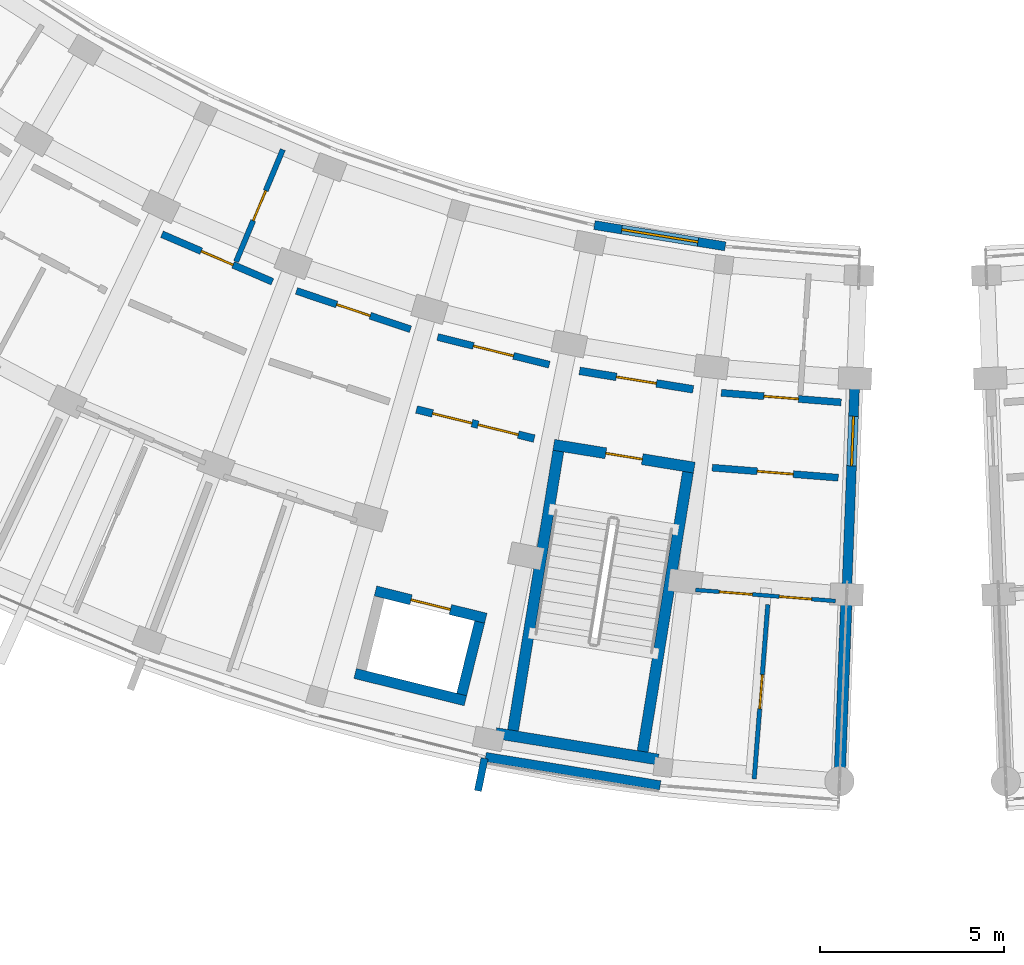
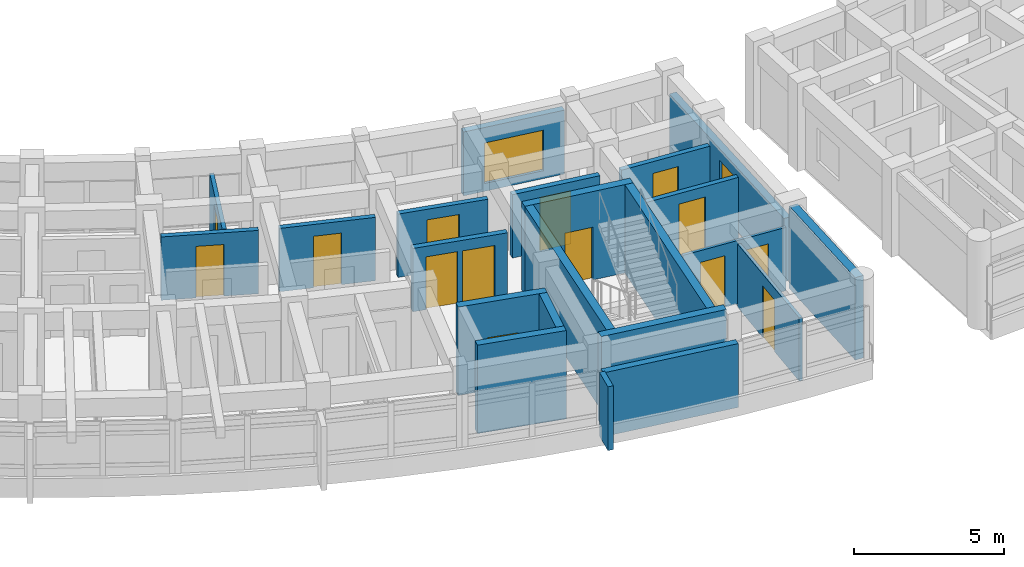
# One storey, part 57 of 83: 22 walls, 14 doors, 2 windows, 16 openings.
"""IFC4 building model written with IfcOpenShell, lengths in metres."""

from ifc_helpers import new_model, si_unit, direction, frame, frame_2d, origin, place, context, subcontext, project, spatial, rectangle, extrude, material, layer, layer_set, type_object, element, fill, save


model = new_model("IFC4")

# Units and contexts
model_context = context("Model", 3, precision=1e-05, world=origin(), true_north=direction((0.0, 1.0)))
body_context = subcontext(model_context, "Body", "Model", "MODEL_VIEW")
ifc_project = project(units=[si_unit("LENGTHUNIT", "METRE"), si_unit("AREAUNIT", "SQUARE_METRE"), si_unit("VOLUMEUNIT", "CUBIC_METRE"), si_unit("PLANEANGLEUNIT", "RADIAN"), si_unit("MASSUNIT", "GRAM", prefix="KILO")], contexts=[model_context])

# Site, building, storey
site_placement = place(None, origin())
site = spatial("IfcSite", under=ifc_project, at=site_placement, CompositionType="ELEMENT")
building_placement = place(site_placement, origin())
building = spatial("IfcBuilding", under=site, at=building_placement, Name="Zimvara Arc Housing Community", CompositionType="ELEMENT")
storey_placement = place(building_placement, frame((0.0, 0.0, 4.5)))
storey = spatial("IfcBuildingStorey", under=building, at=storey_placement, Name="L01", CompositionType="ELEMENT", Elevation=4.5)

# Wall
ifc_material_1 = material(Name="Board-Marked Fair-Faced Concrete C35/45", Category="concrete")
ifc_layer_1 = layer(ifc_material_1, 0.2548828125)
ifc_layer_set_1 = layer_set([ifc_layer_1], Name="Board-Marked Fair-Faced Concrete C35/45")
wall_type_1 = type_object("IfcWallType", Name="EWL-CONC-255", PredefinedType="SOLIDWALL", material=ifc_layer_set_1)
wall_1_placement = place(storey_placement, frame((114.100341796875, 51.681396484375, 0.0), z_axis=(0.0, 0.0, 1.0), x_axis=(0.987080750493, -0.160223568819, 0.0)))
element("IfcWall", 1, at=wall_1_placement, inside=storey, type_object=wall_type_1, Name="ewall:blkC:L01:out:b8", PredefinedType="SOLIDWALL", context=body_context, shape_type="SweptSolid", body=[
    extrude(rectangle(XDim=4.808837890625, YDim=0.2548828125, at=frame_2d((2.404296875, 0.0))), origin(), (0.0, 0.0, 1.0), 2.60009765625),
])

# Wall, opening, window
ifc_material_2 = material(Name="Board-Marked Fair-Faced Concrete C35/45", Category="concrete")
ifc_layer_2 = layer(ifc_material_2, 0.264892578125)
ifc_layer_set_2 = layer_set([ifc_layer_2], Name="Board-Marked Fair-Faced Concrete C35/45")
wall_type_2 = type_object("IfcWallType", Name="EWL-CONC-265", PredefinedType="SOLIDWALL", material=ifc_layer_set_2)
wall_2_placement = place(storey_placement, frame((124.23876953125, 64.533447265625, 0.0), z_axis=(0.0, 0.0, 1.0), x_axis=(-0.038407966241, -0.999262141847, 0.0)))
wall_2 = element("IfcWall", 2, at=wall_2_placement, inside=storey, type_object=wall_type_2, Name="ewall:blkC:L01:gN", PredefinedType="SOLIDWALL", context=body_context, shape_type="SweptSolid", body=[
    extrude(rectangle(XDim=8.199951171875, YDim=0.264892578125, at=frame_2d((4.10009765625, 0.0))), origin(), (0.0, 0.0, 1.0), 2.580078125),
])
opening_1_placement = place(wall_2_placement, frame((3.590087890625, 0.0, 0.75)))
opening_1 = element("IfcOpeningElement", 3, at=opening_1_placement, cuts=wall_2, Name="Opening W12", PredefinedType="OPENING", context=body_context, shape_type="SweptSolid", body=[
    extrude(rectangle(XDim=1.35009765625, YDim=1.35009765625, at=frame_2d((0.675048828125, 0.675048828125))), frame((0.0, 0.142333984375, 0.0), z_axis=(0.0, -1.0, 0.0), x_axis=(1.0, 0.0, 0.0)), (0.0, 0.0, 1.0), 0.284912109375),
])
ifc_material_3 = material(Name="Solar Control Low-E Double Glazing", Category="glass")
window_type_1 = type_object("IfcWindowType", Name="WIN-RES-1350x1350", PartitioningType="DOUBLE_PANEL_VERTICAL", PredefinedType="WINDOW", material=ifc_material_3)
window_1_placement = place(opening_1_placement, origin())
window_1 = element("IfcWindow", 4, at=window_1_placement, inside=storey, type_object=window_type_1, Name="win:blkC:L01:gN:w", OverallHeight=1.35009765625, OverallWidth=1.35009765625, PartitioningType="DOUBLE_PANEL_VERTICAL", PredefinedType="WINDOW", context=body_context, shape_type="SweptSolid", body=[
    extrude(rectangle(XDim=1.35009765625, YDim=1.35009765625, at=frame_2d((0.675048828125, 0.675048828125))), frame((0.0, 0.030029296875, 0.0), z_axis=(0.0, -1.0, 0.0), x_axis=(1.0, 0.0, 0.0)), (0.0, 0.0, 1.0), 0.06005859375),
])
fill(opening_1, window_1)

# Wall
ifc_material_4 = material(Name="Board-Marked Fair-Faced Concrete C35/45", Category="concrete")
ifc_layer_3 = layer(ifc_material_4, 0.195068359375)
ifc_layer_set_3 = layer_set([ifc_layer_3], Name="Board-Marked Fair-Faced Concrete C35/45")
wall_type_3 = type_object("IfcWallType", Name="EWL-PARA-195", PredefinedType="PARAPET", material=ifc_layer_set_3)
wall_3_placement = place(storey_placement, frame((114.072509765625, 51.645263671875, 0.0), z_axis=(0.0, 0.0, 1.0), x_axis=(-0.200236425943, -0.979747607155, 0.0)))
element("IfcWall", 5, at=wall_3_placement, inside=storey, type_object=wall_type_3, Name="finwall:blkC:L01:out:b8", PredefinedType="PARAPET", context=body_context, shape_type="SweptSolid", body=[
    extrude(rectangle(XDim=0.89990234375, YDim=0.195068359375, at=frame_2d((0.449951171875, 0.0))), origin(), (0.0, 0.0, 1.0), 2.60009765625),
])

# Wall, opening, window
ifc_material_5 = material(Name="Pigmented Fair-Faced Concrete C35/45", Category="concrete")
ifc_layer_4 = layer(ifc_material_5, 0.2451171875)
ifc_layer_set_4 = layer_set([ifc_layer_4], Name="Pigmented Fair-Faced Concrete C35/45")
wall_type_4 = type_object("IfcWallType", Name="EWL-PIGM-245", PredefinedType="SOLIDWALL", material=ifc_layer_set_4)
wall_4_placement = place(storey_placement, frame((117.05810546875, 66.141845703125, 0.0), z_axis=(0.0, 0.0, 1.0), x_axis=(0.987080874485, -0.160222804952, 0.0)))
wall_4 = element("IfcWall", 6, at=wall_4_placement, inside=storey, type_object=wall_type_4, Name="ewall:blkC:L01:in:b8", PredefinedType="SOLIDWALL", context=body_context, shape_type="SweptSolid", body=[
    extrude(rectangle(XDim=3.603759765625, YDim=0.2451171875, at=frame_2d((1.8017578125, 0.0))), origin(), (0.0, 0.0, 1.0), 2.60009765625),
])
opening_2_placement = place(wall_4_placement, frame((0.751708984375, 0.0, 0.320068359375)))
opening_2 = element("IfcOpeningElement", 7, at=opening_2_placement, cuts=wall_4, Name="Opening W09", PredefinedType="OPENING", context=body_context, shape_type="SweptSolid", body=[
    extrude(rectangle(XDim=2.10009765625, YDim=1.64990234375, at=frame_2d((1.050048828125, 0.824951171875))), frame((0.0, 0.132568359375, 0.0), z_axis=(0.0, -1.0, 0.0), x_axis=(1.0, 0.0, 0.0)), (0.0, 0.0, 1.0), 0.26513671875),
])
ifc_material_6 = material(Name="Solar Control Low-E Double Glazing", Category="glass")
window_type_2 = type_object("IfcWindowType", Name="WIN-RES-2100x1650", PartitioningType="TRIPLE_PANEL_VERTICAL", PredefinedType="WINDOW", material=ifc_material_6)
window_2_placement = place(opening_2_placement, origin())
window_2 = element("IfcWindow", 8, at=window_2_placement, inside=storey, type_object=window_type_2, Name="win:blkC:L01:in:b8", OverallHeight=1.64990234375, OverallWidth=2.10009765625, PartitioningType="TRIPLE_PANEL_VERTICAL", PredefinedType="WINDOW", context=body_context, shape_type="SweptSolid", body=[
    extrude(rectangle(XDim=2.10009765625, YDim=1.64990234375, at=frame_2d((1.050048828125, 0.824951171875))), frame((0.0, 0.030029296875, 0.0), z_axis=(0.0, -1.0, 0.0), x_axis=(1.0, 0.0, 0.0)), (0.0, 0.0, 1.0), 0.06005859375),
])
fill(opening_2, window_2)

# Wall, openings, doors
ifc_material_7 = material(Name="Concrete C35/45", Category="concrete")
ifc_layer_5 = layer(ifc_material_7, 0.2099609375)
ifc_layer_set_5 = layer_set([ifc_layer_5], Name="Concrete C35/45")
wall_type_5 = type_object("IfcWallType", Name="IWL-CCF-210", PredefinedType="SOLIDWALL", material=ifc_layer_set_5)
wall_5_placement = place(storey_placement, frame((112.222900390625, 61.130126953125, 0.0), z_axis=(0.0, 0.0, 1.0), x_axis=(0.970719238682, -0.240216901263, 0.0)))
wall_5 = element("IfcWall", 9, at=wall_5_placement, inside=storey, type_object=wall_type_5, Name="iwall:blkC:L01:ll_div:b7", PredefinedType="SOLIDWALL", context=body_context, shape_type="SweptSolid", body=[
    extrude(rectangle(XDim=3.2958984375, YDim=0.2099609375, at=frame_2d((1.64794921875, 0.0))), origin(), (0.0, 0.0, 1.0), 2.580078125),
])
opening_3_placement = place(wall_5_placement, frame((0.449951171875, 0.0, 0.0)))
opening_3 = element("IfcOpeningElement", 10, at=opening_3_placement, cuts=wall_5, Name="Opening FD-CCF1", PredefinedType="OPENING", context=body_context, shape_type="SweptSolid", body=[
    extrude(rectangle(XDim=1.10009765625, YDim=2.14990234375, at=frame_2d((0.550048828125, 1.074951171875))), frame((0.0, 0.114990234375, 0.0), z_axis=(0.0, -1.0, 0.0), x_axis=(1.0, 0.0, 0.0)), (0.0, 0.0, 1.0), 0.22998046875),
])
opening_4_placement = place(wall_5_placement, frame((1.72607421875, 0.0, 0.0)))
opening_4 = element("IfcOpeningElement", 11, at=opening_4_placement, cuts=wall_5, Name="Opening D07", PredefinedType="OPENING", context=body_context, shape_type="SweptSolid", body=[
    extrude(rectangle(XDim=1.1201171875, YDim=2.14990234375, at=frame_2d((0.56005859375, 1.074951171875))), frame((0.0, 0.114990234375, 0.0), z_axis=(0.0, -1.0, 0.0), x_axis=(1.0, 0.0, 0.0)), (0.0, 0.0, 1.0), 0.22998046875),
])
ifc_material_8 = material(Name="Mozambican Hardwood", Category="wood")
door_type_1 = type_object("IfcDoorType", Name="IDR-AMN-1120x2150", OperationType="NOTDEFINED", PredefinedType="DOOR", material=ifc_material_8)
door_1_placement = place(opening_4_placement, origin())
door_1 = element("IfcDoor", 12, at=door_1_placement, inside=storey, type_object=door_type_1, Name="idoor:blkC:L01:rs_in:b7", OperationType="SINGLE_SWING_RIGHT", OverallHeight=2.14990234375, OverallWidth=1.1201171875, PredefinedType="DOOR", context=body_context, shape_type="SweptSolid", body=[
    extrude(rectangle(XDim=1.1201171875, YDim=2.14990234375, at=frame_2d((0.56005859375, 1.074951171875))), frame((0.0, 0.02490234375, 0.0), z_axis=(0.0, -1.0, 0.0), x_axis=(1.0, 0.0, 0.0)), (0.0, 0.0, 1.0), 0.050048828125),
])
fill(opening_4, door_1)
ifc_material_9 = material(Name="Anodised Aluminium AW-6063", Category="aluminium")
door_type_2 = type_object("IfcDoorType", Name="IDR-CCF-1100x2150", OperationType="NOTDEFINED", PredefinedType="DOOR", material=ifc_material_9)
door_2_placement = place(opening_3_placement, origin())
door_2 = element("IfcDoor", 13, at=door_2_placement, inside=storey, type_object=door_type_2, Name="idoor:blkC:L01:ll_in:b7", OperationType="SINGLE_SWING_LEFT", OverallHeight=2.14990234375, OverallWidth=1.10009765625, PredefinedType="DOOR", context=body_context, shape_type="SweptSolid", body=[
    extrude(rectangle(XDim=1.10009765625, YDim=2.14990234375, at=frame_2d((0.550048828125, 1.074951171875))), frame((0.0, 0.02490234375, 0.0), z_axis=(0.0, -1.0, 0.0), x_axis=(1.0, 0.0, 0.0)), (0.0, 0.0, 1.0), 0.050048828125),
])
fill(opening_3, door_2)

# Wall, opening, door
wall_6_placement = place(storey_placement, frame((116.655517578125, 62.178466796875, 0.0), z_axis=(0.0, 0.0, 1.0), x_axis=(0.987083140276, -0.16020884552, 0.0)))
wall_6 = element("IfcWall", 14, at=wall_6_placement, inside=storey, type_object=wall_type_5, Name="iwall:blkC:L01:ccf_div:b8", PredefinedType="SOLIDWALL", context=body_context, shape_type="SweptSolid", body=[
    extrude(rectangle(XDim=3.128662109375, YDim=0.2099609375, at=frame_2d((1.564453125, 0.0))), origin(), (0.0, 0.0, 1.0), 2.580078125),
])
opening_5_placement = place(wall_6_placement, frame((1.014404296875, 0.0, 0.0)))
opening_5 = element("IfcOpeningElement", 15, at=opening_5_placement, cuts=wall_6, Name="Opening FD-CCF1", PredefinedType="OPENING", context=body_context, shape_type="SweptSolid", body=[
    extrude(rectangle(XDim=1.10009765625, YDim=2.14990234375, at=frame_2d((0.550048828125, 1.074951171875))), frame((0.0, 0.114990234375, 0.0), z_axis=(0.0, -1.0, 0.0), x_axis=(1.0, 0.0, 0.0)), (0.0, 0.0, 1.0), 0.22998046875),
])
door_3_placement = place(opening_5_placement, origin())
door_3 = element("IfcDoor", 16, at=door_3_placement, inside=storey, type_object=door_type_2, Name="idoor:blkC:L01:ccf_in:b8", OperationType="SINGLE_SWING_RIGHT", OverallHeight=2.14990234375, OverallWidth=1.10009765625, PredefinedType="DOOR", context=body_context, shape_type="SweptSolid", body=[
    extrude(rectangle(XDim=1.10009765625, YDim=2.14990234375, at=frame_2d((0.550048828125, 1.074951171875))), frame((0.0, 0.02490234375, 0.0), z_axis=(0.0, -1.0, 0.0), x_axis=(1.0, 0.0, 0.0)), (0.0, 0.0, 1.0), 0.050048828125),
])
fill(opening_5, door_3)

ifc_material_10 = material(Name="Concrete C35/45", Category="concrete")
ifc_layer_6 = layer(ifc_material_10, 0.18994140625)
ifc_layer_set_6 = layer_set([ifc_layer_6], Name="Concrete C35/45")
wall_type_6 = type_object("IfcWallType", Name="IWL-CORR-190", PredefinedType="SOLIDWALL", material=ifc_layer_set_6)
wall_7_placement = place(storey_placement, frame((105.30224609375, 65.892822265625, 0.0), z_axis=(0.0, 0.0, 1.0), x_axis=(0.918723391052, -0.394901672235, 0.0)))
wall_7 = element("IfcWall", 17, at=wall_7_placement, inside=storey, type_object=wall_type_6, Name="iwall:blkC:L01:corr_in:b5", PredefinedType="SOLIDWALL", context=body_context, shape_type="SweptSolid", body=[
    extrude(rectangle(XDim=3.2685546875, YDim=0.18994140625, at=frame_2d((1.63427734375, 0.0))), origin(), (0.0, 0.0, 1.0), 2.580078125),
])
opening_6_placement = place(wall_7_placement, frame((1.164306640625, 0.0, 0.0)))
opening_6 = element("IfcOpeningElement", 18, at=opening_6_placement, cuts=wall_7, Name="Opening D03", PredefinedType="OPENING", context=body_context, shape_type="SweptSolid", body=[
    extrude(rectangle(XDim=0.93994140625, YDim=2.10009765625, at=frame_2d((0.469970703125, 1.050048828125))), frame((0.0, 0.10498046875, 0.0), z_axis=(0.0, -1.0, 0.0), x_axis=(1.0, 0.0, 0.0)), (0.0, 0.0, 1.0), 0.2099609375),
])
ifc_material_11 = material(Name="Mozambican Hardwood", Category="wood")
door_type_3 = type_object("IfcDoorType", Name="IDR-RM-0940x2100", OperationType="NOTDEFINED", PredefinedType="DOOR", material=ifc_material_11)
door_4_placement = place(opening_6_placement, origin())
door_4 = element("IfcDoor", 19, at=door_4_placement, inside=storey, type_object=door_type_3, Name="idoor:blkC:L01:in_rm:b5", OperationType="SINGLE_SWING_LEFT", OverallHeight=2.10009765625, OverallWidth=0.93994140625, PredefinedType="DOOR", context=body_context, shape_type="SweptSolid", body=[
    extrude(rectangle(XDim=0.93994140625, YDim=2.10009765625, at=frame_2d((0.469970703125, 1.050048828125))), frame((0.0, 0.02490234375, 0.0), z_axis=(0.0, -1.0, 0.0), x_axis=(1.0, 0.0, 0.0)), (0.0, 0.0, 1.0), 0.050048828125),
])
fill(opening_6, door_4)

wall_8_placement = place(storey_placement, frame((108.95849609375, 64.352294921875, 0.0), z_axis=(0.0, 0.0, 1.0), x_axis=(0.94787351033, -0.318646839643, 0.0)))
wall_8 = element("IfcWall", 20, at=wall_8_placement, inside=storey, type_object=wall_type_6, Name="iwall:blkC:L01:corr_in:b6", PredefinedType="SOLIDWALL", context=body_context, shape_type="SweptSolid", body=[
    extrude(rectangle(XDim=3.2685546875, YDim=0.18994140625, at=frame_2d((1.63427734375, 0.0))), origin(), (0.0, 0.0, 1.0), 2.580078125),
])
opening_7_placement = place(wall_8_placement, frame((1.154296875, 0.0, 0.0)))
opening_7 = element("IfcOpeningElement", 21, at=opening_7_placement, cuts=wall_8, Name="Opening D04", PredefinedType="OPENING", context=body_context, shape_type="SweptSolid", body=[
    extrude(rectangle(XDim=0.9599609375, YDim=2.10009765625, at=frame_2d((0.47998046875, 1.050048828125))), frame((0.0, 0.10498046875, 0.0), z_axis=(0.0, -1.0, 0.0), x_axis=(1.0, 0.0, 0.0)), (0.0, 0.0, 1.0), 0.2099609375),
])
ifc_material_12 = material(Name="Mozambican Hardwood", Category="wood")
door_type_4 = type_object("IfcDoorType", Name="IDR-RM-0960x2100", OperationType="NOTDEFINED", PredefinedType="DOOR", material=ifc_material_12)
door_5_placement = place(opening_7_placement, origin())
door_5 = element("IfcDoor", 22, at=door_5_placement, inside=storey, type_object=door_type_4, Name="idoor:blkC:L01:in_rm:b6", OperationType="SINGLE_SWING_LEFT", OverallHeight=2.10009765625, OverallWidth=0.9599609375, PredefinedType="DOOR", context=body_context, shape_type="SweptSolid", body=[
    extrude(rectangle(XDim=0.9599609375, YDim=2.10009765625, at=frame_2d((0.47998046875, 1.050048828125))), frame((0.0, 0.02490234375, 0.0), z_axis=(0.0, -1.0, 0.0), x_axis=(1.0, 0.0, 0.0)), (0.0, 0.0, 1.0), 0.050048828125),
])
fill(opening_7, door_5)

wall_9_placement = place(storey_placement, frame((112.796142578125, 63.098388671875, 0.0), z_axis=(0.0, 0.0, 1.0), x_axis=(0.970708998014, -0.240258280136, 0.0)))
wall_9 = element("IfcWall", 23, at=wall_9_placement, inside=storey, type_object=wall_type_6, Name="iwall:blkC:L01:ra_div:b7", PredefinedType="SOLIDWALL", context=body_context, shape_type="SweptSolid", body=[
    extrude(rectangle(XDim=3.128662109375, YDim=0.18994140625, at=frame_2d((1.564453125, 0.0))), origin(), (0.0, 0.0, 1.0), 2.580078125),
])
opening_8_placement = place(wall_9_placement, frame((1.00439453125, 0.0, 0.0)))
opening_8 = element("IfcOpeningElement", 24, at=opening_8_placement, cuts=wall_9, Name="Opening D07", PredefinedType="OPENING", context=body_context, shape_type="SweptSolid", body=[
    extrude(rectangle(XDim=1.1201171875, YDim=2.14990234375, at=frame_2d((0.56005859375, 1.074951171875))), frame((0.0, 0.10498046875, 0.0), z_axis=(0.0, -1.0, 0.0), x_axis=(1.0, 0.0, 0.0)), (0.0, 0.0, 1.0), 0.2099609375),
])
door_6_placement = place(opening_8_placement, origin())
door_6 = element("IfcDoor", 25, at=door_6_placement, inside=storey, type_object=door_type_1, Name="idoor:blkC:L01:ra_d:b7", OperationType="SINGLE_SWING_LEFT", OverallHeight=2.14990234375, OverallWidth=1.1201171875, PredefinedType="DOOR", context=body_context, shape_type="SweptSolid", body=[
    extrude(rectangle(XDim=1.1201171875, YDim=2.14990234375, at=frame_2d((0.56005859375, 1.074951171875))), frame((0.0, 0.02490234375, 0.0), z_axis=(0.0, -1.0, 0.0), x_axis=(1.0, 0.0, 0.0)), (0.0, 0.0, 1.0), 0.050048828125),
])
fill(opening_8, door_6)

wall_10_placement = place(storey_placement, frame((120.261474609375, 59.547119140625, 0.0), z_axis=(0.0, 0.0, 1.0), x_axis=(0.996862545573, -0.079152165058, 0.0)))
wall_10 = element("IfcWall", 26, at=wall_10_placement, inside=storey, type_object=wall_type_6, Name="iwall:blkC:L01:corr_out:b9", PredefinedType="SOLIDWALL", context=body_context, shape_type="SweptSolid", body=[
    extrude(rectangle(XDim=3.43603515625, YDim=0.18994140625, at=frame_2d((1.718017578125, 0.0))), origin(), (0.0, 0.0, 1.0), 2.580078125),
])
opening_9_placement = place(wall_10_placement, frame((1.22802734375, 0.0, 0.0)))
opening_9 = element("IfcOpeningElement", 27, at=opening_9_placement, cuts=wall_10, Name="Opening FD-FL1", PredefinedType="OPENING", context=body_context, shape_type="SweptSolid", body=[
    extrude(rectangle(XDim=0.97998046875, YDim=2.14990234375, at=frame_2d((0.489990234375, 1.074951171875))), frame((0.0, 0.10498046875, 0.0), z_axis=(0.0, -1.0, 0.0), x_axis=(1.0, 0.0, 0.0)), (0.0, 0.0, 1.0), 0.2099609375),
])
ifc_material_13 = material(Name="Mozambican Hardwood", Category="wood")
door_type_5 = type_object("IfcDoorType", Name="IDR-FLAT-0980x2150", OperationType="NOTDEFINED", PredefinedType="DOOR", material=ifc_material_13)
door_7_placement = place(opening_9_placement, origin())
door_7 = element("IfcDoor", 28, at=door_7_placement, inside=storey, type_object=door_type_5, Name="idoor:blkC:L01:flat:b9", OperationType="SINGLE_SWING_LEFT", OverallHeight=2.14990234375, OverallWidth=0.97998046875, PredefinedType="DOOR", context=body_context, shape_type="SweptSolid", body=[
    extrude(rectangle(XDim=0.97998046875, YDim=2.14990234375, at=frame_2d((0.489990234375, 1.074951171875))), frame((0.0, 0.02490234375, 0.0), z_axis=(0.0, -1.0, 0.0), x_axis=(1.0, 0.0, 0.0)), (0.0, 0.0, 1.0), 0.050048828125),
])
fill(opening_9, door_7)

wall_11_placement = place(storey_placement, frame((120.507080078125, 61.582275390625, 0.0), z_axis=(0.0, 0.0, 1.0), x_axis=(0.996860715473, -0.07917521043, 0.0)))
wall_11 = element("IfcWall", 29, at=wall_11_placement, inside=storey, type_object=wall_type_6, Name="iwall:blkC:L01:corr_in:b9", PredefinedType="SOLIDWALL", context=body_context, shape_type="SweptSolid", body=[
    extrude(rectangle(XDim=3.2685546875, YDim=0.18994140625, at=frame_2d((1.63427734375, 0.0))), origin(), (0.0, 0.0, 1.0), 2.580078125),
])
opening_10_placement = place(wall_11_placement, frame((1.164306640625, 0.0, 0.0)))
opening_10 = element("IfcOpeningElement", 30, at=opening_10_placement, cuts=wall_11, Name="Opening D03", PredefinedType="OPENING", context=body_context, shape_type="SweptSolid", body=[
    extrude(rectangle(XDim=0.93994140625, YDim=2.10009765625, at=frame_2d((0.469970703125, 1.050048828125))), frame((0.0, 0.10498046875, 0.0), z_axis=(0.0, -1.0, 0.0), x_axis=(1.0, 0.0, 0.0)), (0.0, 0.0, 1.0), 0.2099609375),
])
door_8_placement = place(opening_10_placement, origin())
door_8 = element("IfcDoor", 31, at=door_8_placement, inside=storey, type_object=door_type_3, Name="idoor:blkC:L01:in_rm:b9", OperationType="SINGLE_SWING_RIGHT", OverallHeight=2.10009765625, OverallWidth=0.93994140625, PredefinedType="DOOR", context=body_context, shape_type="SweptSolid", body=[
    extrude(rectangle(XDim=0.93994140625, YDim=2.10009765625, at=frame_2d((0.469970703125, 1.050048828125))), frame((0.0, 0.02490234375, 0.0), z_axis=(0.0, -1.0, 0.0), x_axis=(1.0, 0.0, 0.0)), (0.0, 0.0, 1.0), 0.050048828125),
])
fill(opening_10, door_8)

# Wall, openings, doors
ifc_material_14 = material(Name="Painted Acoustic Plasterboard")
ifc_layer_7 = layer(ifc_material_14, 0.10498046875)
ifc_layer_set_7 = layer_set([ifc_layer_7], Name="Painted Acoustic Plasterboard")
wall_type_7 = type_object("IfcWallType", Name="IWL-PART-105", PredefinedType="PARTITIONING", material=ifc_layer_set_7)
wall_12_placement = place(storey_placement, frame((119.810302734375, 56.22509765625, 0.0), z_axis=(0.0, 0.0, 1.0), x_axis=(0.996862985267, -0.079146627246, 0.0)))
wall_12 = element("IfcWall", 32, at=wall_12_placement, inside=storey, type_object=wall_type_7, Name="iwall:blkC:L01:srv:b9", PredefinedType="PARTITIONING", context=body_context, shape_type="SweptSolid", body=[
    extrude(rectangle(XDim=3.8095703125, YDim=0.10498046875, at=frame_2d((1.90478515625, 0.0))), origin(), (0.0, 0.0, 1.0), 2.580078125),
])
opening_11_placement = place(wall_12_placement, frame((0.64990234375, 0.0, 0.0)))
opening_11 = element("IfcOpeningElement", 33, at=opening_11_placement, cuts=wall_12, Name="Opening D01", PredefinedType="OPENING", context=body_context, shape_type="SweptSolid", body=[
    extrude(rectangle(XDim=0.89990234375, YDim=2.10009765625, at=frame_2d((0.449951171875, 1.050048828125))), frame((0.0, 0.0625, 0.0), z_axis=(0.0, -1.0, 0.0), x_axis=(1.0, 0.0, 0.0)), (0.0, 0.0, 1.0), 0.125),
])
opening_12_placement = place(wall_12_placement, frame((2.279541015625, 0.0, 0.0)))
opening_12 = element("IfcOpeningElement", 34, at=opening_12_placement, cuts=wall_12, Name="Opening D05", PredefinedType="OPENING", context=body_context, shape_type="SweptSolid", body=[
    extrude(rectangle(XDim=0.8798828125, YDim=2.10009765625, at=frame_2d((0.43994140625, 1.050048828125))), frame((0.0, 0.0625, 0.0), z_axis=(0.0, -1.0, 0.0), x_axis=(1.0, 0.0, 0.0)), (0.0, 0.0, 1.0), 0.125),
])
ifc_material_15 = material(Name="Mozambican Hardwood", Category="wood")
door_type_6 = type_object("IfcDoorType", Name="IDR-RM-0900x2100", OperationType="NOTDEFINED", PredefinedType="DOOR", material=ifc_material_15)
door_9_placement = place(opening_11_placement, origin())
door_9 = element("IfcDoor", 35, at=door_9_placement, inside=storey, type_object=door_type_6, Name="idoor:blkC:L01:kit_liv:b9", OperationType="SINGLE_SWING_RIGHT", OverallHeight=2.10009765625, OverallWidth=0.89990234375, PredefinedType="DOOR", context=body_context, shape_type="SweptSolid", body=[
    extrude(rectangle(XDim=0.89990234375, YDim=2.10009765625, at=frame_2d((0.449951171875, 1.050048828125))), frame((0.0, 0.02490234375, 0.0), z_axis=(0.0, -1.0, 0.0), x_axis=(1.0, 0.0, 0.0)), (0.0, 0.0, 1.0), 0.050048828125),
])
fill(opening_11, door_9)
ifc_material_16 = material(Name="Mozambican Hardwood", Category="wood")
door_type_7 = type_object("IfcDoorType", Name="IDR-WC-0880x2100", OperationType="NOTDEFINED", PredefinedType="DOOR", material=ifc_material_16)
door_10_placement = place(opening_12_placement, origin())
door_10 = element("IfcDoor", 36, at=door_10_placement, inside=storey, type_object=door_type_7, Name="idoor:blkC:L01:bath_d:b9", OperationType="SINGLE_SWING_LEFT", OverallHeight=2.10009765625, OverallWidth=0.8798828125, PredefinedType="DOOR", context=body_context, shape_type="SweptSolid", body=[
    extrude(rectangle(XDim=0.8798828125, YDim=2.10009765625, at=frame_2d((0.43994140625, 1.050048828125))), frame((0.0, 0.02490234375, 0.0), z_axis=(0.0, -1.0, 0.0), x_axis=(1.0, 0.0, 0.0)), (0.0, 0.0, 1.0), 0.050048828125),
])
fill(opening_12, door_10)

# Wall, opening, door
ifc_material_17 = material(Name="Painted Acoustic Plasterboard")
ifc_layer_8 = layer(ifc_material_17, 0.1201171875)
ifc_layer_set_8 = layer_set([ifc_layer_8], Name="Painted Acoustic Plasterboard")
wall_type_8 = type_object("IfcWallType", Name="IWL-PART-120", PredefinedType="PARTITIONING", material=ifc_layer_set_8)
wall_13_placement = place(storey_placement, frame((121.771240234375, 55.82373046875, 0.0), z_axis=(0.0, 0.0, 1.0), x_axis=(-0.077659382624, -0.996979949794, 0.0)))
wall_13 = element("IfcWall", 37, at=wall_13_placement, inside=storey, type_object=wall_type_8, Name="iwall:blkC:L01:bed_div:b9", PredefinedType="PARTITIONING", context=body_context, shape_type="SweptSolid", body=[
    extrude(rectangle(XDim=4.750244140625, YDim=0.1201171875, at=frame_2d((2.375, 0.0))), origin(), (0.0, 0.0, 1.0), 2.580078125),
])
opening_13_placement = place(wall_13_placement, frame((1.909912109375, 0.0, 0.0)))
opening_13 = element("IfcOpeningElement", 38, at=opening_13_placement, cuts=wall_13, Name="Opening D13", PredefinedType="OPENING", context=body_context, shape_type="SweptSolid", body=[
    extrude(rectangle(XDim=0.929931640625, YDim=2.10009765625, at=frame_2d((0.46484375, 1.050048828125))), frame((0.0, 0.070068359375, 0.0), z_axis=(0.0, -1.0, 0.0), x_axis=(1.0, 0.0, 0.0)), (0.0, 0.0, 1.0), 0.14013671875),
])
ifc_material_18 = material(Name="Mozambican Hardwood", Category="wood")
door_type_8 = type_object("IfcDoorType", Name="IDR-MOD-930x2180", OperationType="NOTDEFINED", PredefinedType="DOOR", material=ifc_material_18)
door_11_placement = place(opening_13_placement, origin())
door_11 = element("IfcDoor", 39, at=door_11_placement, inside=storey, type_object=door_type_8, Name="idoor:blkC:L01:bed_d:b9", OperationType="SINGLE_SWING_RIGHT", OverallHeight=2.10009765625, OverallWidth=0.929931640625, PredefinedType="DOOR", context=body_context, shape_type="SweptSolid", body=[
    extrude(rectangle(XDim=0.929931640625, YDim=2.10009765625, at=frame_2d((0.46484375, 1.050048828125))), frame((0.0, 0.02490234375, 0.0), z_axis=(0.0, -1.0, 0.0), x_axis=(1.0, 0.0, 0.0)), (0.0, 0.0, 1.0), 0.050048828125),
])
fill(opening_13, door_11)

ifc_material_19 = material(Name="Painted Acoustic Plasterboard")
ifc_layer_9 = layer(ifc_material_19, 0.14501953125)
ifc_layer_set_9 = layer_set([ifc_layer_9], Name="Painted Acoustic Plasterboard")
wall_type_9 = type_object("IfcWallType", Name="IWL-WET-145", PredefinedType="PARTITIONING", material=ifc_layer_set_9)
wall_14_placement = place(storey_placement, frame((108.5888671875, 68.19384765625, 0.0), z_axis=(0.0, 0.0, 1.0), x_axis=(-0.385151143297, -0.922853507777, 0.0)))
wall_14 = element("IfcWall", 40, at=wall_14_placement, inside=storey, type_object=wall_type_9, Name="iwall:blkC:L01:ens:b5", PredefinedType="PARTITIONING", context=body_context, shape_type="SweptSolid", body=[
    extrude(rectangle(XDim=3.300048828125, YDim=0.14501953125, at=frame_2d((1.64990234375, 0.0))), origin(), (0.0, 0.0, 1.0), 2.580078125),
])
opening_14_placement = place(wall_14_placement, frame((1.2099609375, 0.0, 0.0)))
opening_14 = element("IfcOpeningElement", 41, at=opening_14_placement, cuts=wall_14, Name="Opening D05", PredefinedType="OPENING", context=body_context, shape_type="SweptSolid", body=[
    extrude(rectangle(XDim=0.8798828125, YDim=2.10009765625, at=frame_2d((0.43994140625, 1.050048828125))), frame((0.0, 0.08251953125, 0.0), z_axis=(0.0, -1.0, 0.0), x_axis=(1.0, 0.0, 0.0)), (0.0, 0.0, 1.0), 0.1650390625),
])
door_12_placement = place(opening_14_placement, origin())
door_12 = element("IfcDoor", 42, at=door_12_placement, inside=storey, type_object=door_type_7, Name="idoor:blkC:L01:ens_d:b5", OperationType="SINGLE_SWING_RIGHT", OverallHeight=2.10009765625, OverallWidth=0.8798828125, PredefinedType="DOOR", context=body_context, shape_type="SweptSolid", body=[
    extrude(rectangle(XDim=0.8798828125, YDim=2.10009765625, at=frame_2d((0.43994140625, 1.050048828125))), frame((0.0, 0.02490234375, 0.0), z_axis=(0.0, -1.0, 0.0), x_axis=(1.0, 0.0, 0.0)), (0.0, 0.0, 1.0), 0.050048828125),
])
fill(opening_14, door_12)

ifc_material_20 = material(Name="Concrete C40/50", Category="concrete")
ifc_layer_10 = layer(ifc_material_20, 0.280029296875)
ifc_layer_set_10 = layer_set([ifc_layer_10], Name="Concrete C40/50")
wall_type_10 = type_object("IfcWallType", Name="WL-CORE-280", PredefinedType="SHEAR", material=ifc_layer_set_10)
wall_15_placement = place(storey_placement, frame((111.10791015625, 56.1962890625, 0.0), z_axis=(0.0, 0.0, 1.0), x_axis=(0.970706856107, -0.240266933861, 0.0)))
wall_15 = element("IfcWall", 43, at=wall_15_placement, inside=storey, type_object=wall_type_10, Name="lwall:LP-C2:L01:front", PredefinedType="SHEAR", context=body_context, shape_type="SweptSolid", body=[
    extrude(rectangle(XDim=3.090087890625, YDim=0.280029296875, at=frame_2d((1.544921875, 0.0))), origin(), (0.0, 0.0, 1.0), 3.60009765625),
])
opening_15_placement = place(wall_15_placement, frame((0.9951171875, 0.0, 0.0)))
opening_15 = element("IfcOpeningElement", 44, at=opening_15_placement, cuts=wall_15, Name="Opening LD-LP-C2", PredefinedType="OPENING", context=body_context, shape_type="SweptSolid", body=[
    extrude(rectangle(XDim=1.10009765625, YDim=2.14990234375, at=frame_2d((0.550048828125, 1.074951171875))), frame((0.0, 0.14990234375, 0.0), z_axis=(0.0, -1.0, 0.0), x_axis=(1.0, 0.0, 0.0)), (0.0, 0.0, 1.0), 0.300048828125),
])
ifc_material_21 = material(Name="Anodised Aluminium AW-6063", Category="aluminium")
door_type_9 = type_object("IfcDoorType", Name="IDR-LD-1100x2150", OperationType="DOUBLE_DOOR_SLIDING", PredefinedType="DOOR", material=ifc_material_21)
door_13_placement = place(opening_15_placement, origin())
door_13 = element("IfcDoor", 45, at=door_13_placement, inside=storey, type_object=door_type_9, Name="Lift LP-C2 Sliding Landing Door L01", OperationType="DOUBLE_DOOR_SLIDING", OverallHeight=2.14990234375, OverallWidth=1.10009765625, PredefinedType="DOOR", context=body_context, shape_type="SweptSolid", body=[
    extrude(rectangle(XDim=1.10009765625, YDim=2.14990234375, at=frame_2d((0.550048828125, 1.074951171875))), frame((0.0, 0.02490234375, 0.0), z_axis=(0.0, -1.0, 0.0), x_axis=(1.0, 0.0, 0.0)), (0.0, 0.0, 1.0), 0.050048828125),
])
fill(opening_15, door_13)

# Walls
wall_16_placement = place(storey_placement, frame((110.552978515625, 53.953857421875, 0.0), z_axis=(0.0, 0.0, 1.0), x_axis=(0.970725280816, -0.240192483614, 0.0)))
element("IfcWall", 46, at=wall_16_placement, inside=storey, type_object=wall_type_10, Name="lwall:LP-C2:L01:back", PredefinedType="SHEAR", context=body_context, shape_type="SweptSolid", body=[
    extrude(rectangle(XDim=3.090087890625, YDim=0.280029296875, at=frame_2d((1.544921875, 0.0))), origin(), (0.0, 0.0, 1.0), 3.60009765625),
])
wall_17_placement = place(storey_placement, frame((113.93798828125, 55.3515625, 0.0), z_axis=(0.0, 0.0, 1.0), x_axis=(-0.2402993748, -0.970698825832, 0.0)))
element("IfcWall", 47, at=wall_17_placement, inside=storey, type_object=wall_type_10, Name="lwall:LP-C2:L01:right", PredefinedType="SHEAR", context=body_context, shape_type="SweptSolid", body=[
    extrude(rectangle(XDim=2.030029296875, YDim=0.280029296875, at=frame_2d((1.01513671875, 0.0))), origin(), (0.0, 0.0, 1.0), 3.60009765625),
])

# Wall, opening, door
ifc_material_22 = material(Name="Concrete C40/50", Category="concrete")
ifc_layer_11 = layer(ifc_material_22, 0.300048828125)
ifc_layer_set_11 = layer_set([ifc_layer_11], Name="Concrete C40/50")
wall_type_11 = type_object("IfcWallType", Name="WL-CORE-300", PredefinedType="SHEAR", material=ifc_layer_set_11)
wall_18_placement = place(storey_placement, frame((115.953857421875, 60.16943359375, 0.0), z_axis=(0.0, 0.0, 1.0), x_axis=(0.987077443397, -0.160243941341, 0.0)))
wall_18 = element("IfcWall", 48, at=wall_18_placement, inside=storey, type_object=wall_type_11, Name="cwall:ST-C2:L01:near", PredefinedType="SHEAR", context=body_context, shape_type="SweptSolid", body=[
    extrude(rectangle(XDim=3.869873046875, YDim=0.300048828125, at=frame_2d((1.93505859375, 0.0))), origin(), (0.0, 0.0, 1.0), 3.60009765625),
])
opening_16_placement = place(wall_18_placement, frame((1.43505859375, 0.0, 0.0)))
opening_16 = element("IfcOpeningElement", 49, at=opening_16_placement, cuts=wall_18, Name="Opening FD-ST1", PredefinedType="OPENING", context=body_context, shape_type="SweptSolid", body=[
    extrude(rectangle(XDim=1.0, YDim=2.14990234375, at=frame_2d((0.5, 1.074951171875))), frame((0.0, 0.159912109375, 0.0), z_axis=(0.0, -1.0, 0.0), x_axis=(1.0, 0.0, 0.0)), (0.0, 0.0, 1.0), 0.320068359375),
])
ifc_material_23 = material(Name="Anodised Aluminium AW-6063", Category="aluminium")
door_type_10 = type_object("IfcDoorType", Name="IDR-ST-1000x2150", OperationType="NOTDEFINED", PredefinedType="DOOR", material=ifc_material_23)
door_14_placement = place(opening_16_placement, origin())
door_14 = element("IfcDoor", 50, at=door_14_placement, inside=storey, type_object=door_type_10, Name="idoor:ST-C2:L01:entry", OperationType="SINGLE_SWING_LEFT", OverallHeight=2.14990234375, OverallWidth=1.0, PredefinedType="DOOR", context=body_context, shape_type="SweptSolid", body=[
    extrude(rectangle(XDim=1.0, YDim=2.14990234375, at=frame_2d((0.5, 1.074951171875))), frame((0.0, 0.02490234375, 0.0), z_axis=(0.0, -1.0, 0.0), x_axis=(1.0, 0.0, 0.0)), (0.0, 0.0, 1.0), 0.050048828125),
])
fill(opening_16, door_14)

# Walls
wall_19_placement = place(storey_placement, frame((114.37744140625, 52.330810546875, 0.0), z_axis=(0.0, 0.0, 1.0), x_axis=(0.987077474317, -0.16024375088, 0.0)))
element("IfcWall", 51, at=wall_19_placement, inside=storey, type_object=wall_type_11, Name="cwall:ST-C2:L01:far", PredefinedType="SHEAR", context=body_context, shape_type="SweptSolid", body=[
    extrude(rectangle(XDim=4.47021484375, YDim=0.300048828125, at=frame_2d((2.235107421875, 0.0))), origin(), (0.0, 0.0, 1.0), 3.60009765625),
])
for number, where, z_axis, x_axis, name in (
    (52, (116.077880859375, 59.997314453125, 0.0), (0.0, 0.0, 1.0), (-0.160232517967, -0.987079297821, 0.0), "cwall:ST-C2:L01:left"),
    (53, (119.6015625, 59.42529296875, 0.0), (0.0, 0.0, 1.0), (-0.160201584773, -0.987084318706, 0.0), "cwall:ST-C2:L01:right"),
):
    element("IfcWall", number, at=place(storey_placement, frame(where, z_axis=z_axis, x_axis=x_axis)), inside=storey, type_object=wall_type_11, Name=name, PredefinedType="SHEAR", context=body_context, shape_type="SweptSolid", body=[
        extrude(rectangle(XDim=7.68994140625, YDim=0.300048828125, at=frame_2d((3.844970703125, 0.0))), origin(), (0.0, 0.0, 1.0), 3.60009765625),
    ])
ifc_material_24 = material(Name="Concrete C40/50", Category="concrete")
ifc_layer_12 = layer(ifc_material_24, 0.31005859375)
ifc_layer_set_12 = layer_set([ifc_layer_12], Name="Concrete C40/50")
wall_type_12 = type_object("IfcWallType", Name="WL-SHEAR-310", PredefinedType="SHEAR", material=ifc_layer_set_12)
wall_20_placement = place(storey_placement, frame((123.90771484375, 55.919677734375, 0.0), z_axis=(0.0, 0.0, 1.0), x_axis=(-0.038381471406, -0.99926315986, 0.0)))
element("IfcWall", 54, at=wall_20_placement, inside=storey, type_object=wall_type_12, Name="swall:blkC:L01:east", PredefinedType="SHEAR", context=body_context, shape_type="SweptSolid", body=[
    extrude(rectangle(XDim=4.7197265625, YDim=0.31005859375, at=frame_2d((2.35986328125, 0.0))), origin(), (0.0, 0.0, 1.0), 3.360107421875),
])

save(model, "model.ifc")
